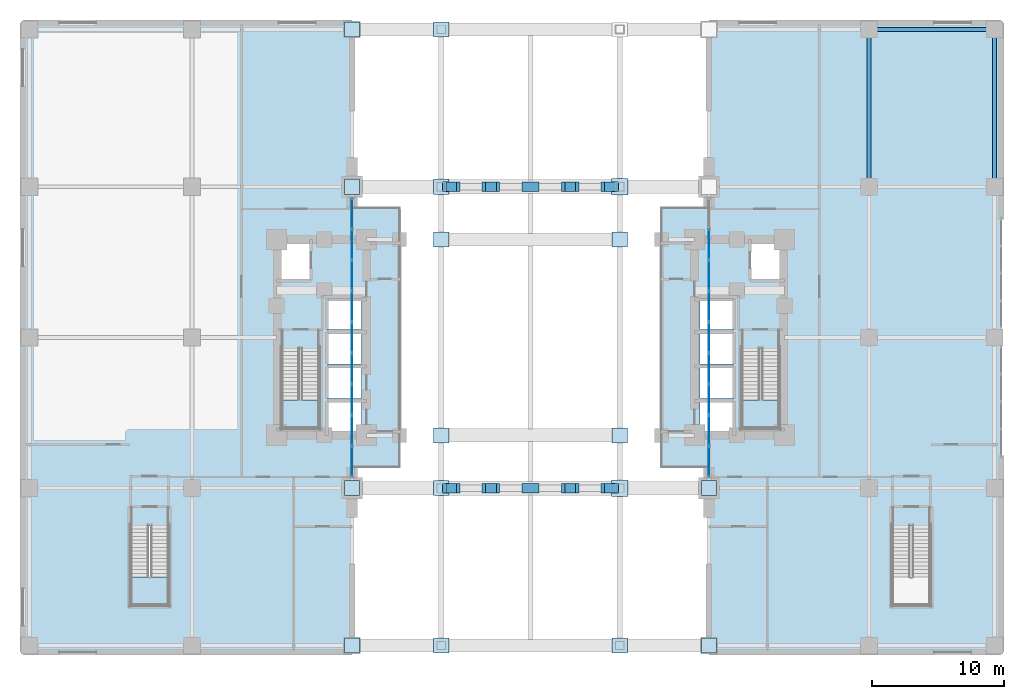
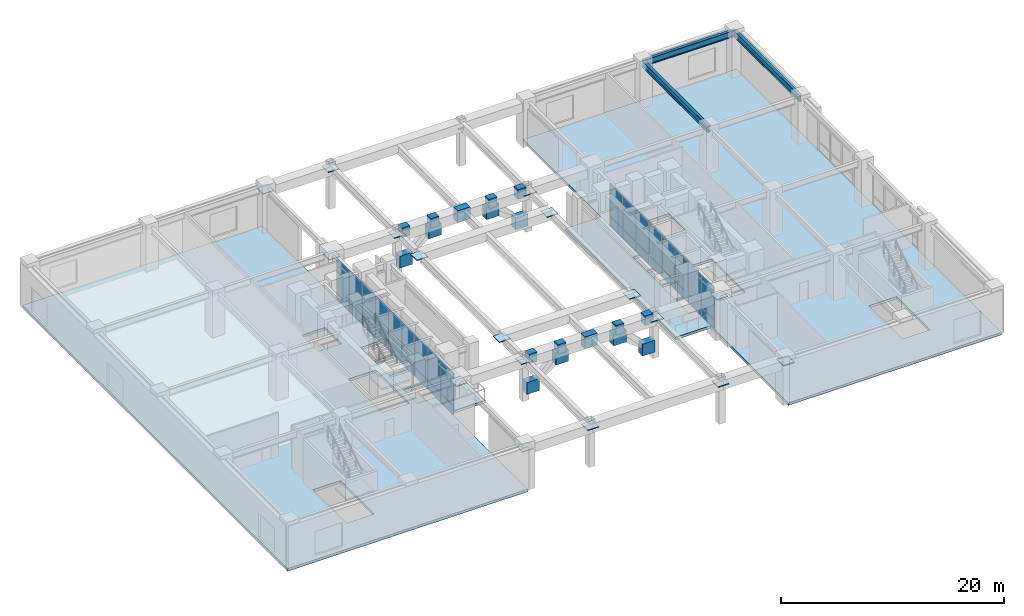
# One storey, part 16 of 26: 69 plates, 5 slabs, 3 beams, 5 elements without a shape of their own.
"""IFC4 building model written with IfcOpenShell, lengths in metres."""

from ifc_helpers import new_model, si_unit, direction, frame, origin, origin_2d, place, context, subcontext, project, spatial, polyline, rectangle, i_section, outline, extrude, material, layer, layer_set, material_profile, profile_set, type_object, element, aggregate, save


model = new_model("IFC4")

# Units and contexts
model_context = context("Model", 3, precision=1e-05, world=origin(), true_north=direction((0.0, 1.0)))
body_context = subcontext(model_context, "Body", "Model", "MODEL_VIEW")
ifc_project = project(units=[si_unit("LENGTHUNIT", "METRE"), si_unit("AREAUNIT", "SQUARE_METRE"), si_unit("VOLUMEUNIT", "CUBIC_METRE"), si_unit("PLANEANGLEUNIT", "RADIAN"), si_unit("MASSUNIT", "GRAM", prefix="KILO")], contexts=[model_context])

# Site, building, storey
site_placement = place(None, origin())
site = spatial("IfcSite", under=ifc_project, at=site_placement, CompositionType="ELEMENT")
building_placement = place(site_placement, origin())
building = spatial("IfcBuilding", under=site, at=building_placement, Name="Voryun Gate Residences", CompositionType="ELEMENT")
storey_placement = place(building_placement, frame((0.0, 0.0, 15.60009765625)))
storey = spatial("IfcBuildingStorey", under=building, at=storey_placement, Name="L03", CompositionType="ELEMENT", Elevation=15.60009765625)

# Beams
ifc_material_1 = material(Name="Steel SM355", Category="steel")
ifc_material_profile = material_profile(ifc_material_1, i_section(OverallWidth=0.300048828125, OverallDepth=0.699951171875, WebThickness=0.012939453125, FlangeThickness=0.02392578125, FilletRadius=0.01806640625, at=origin_2d()), Name="H-700x300x13x24")
ifc_profile_set = profile_set([ifc_material_profile], Name="Steel SM355")
beam_type = type_object("IfcBeamType", Name="BM_GIRD_700", PredefinedType="USERDEFINED", material=ifc_profile_set)
beam_placement = place(storey_placement, frame((25.60009765625, 23.300048828125, 4.449951171875), z_axis=(1.0, 0.0, 0.0), x_axis=(0.0, 1.0, 0.0)))
element("IfcBeam", 1, at=beam_placement, inside=storey, type_object=beam_type, Name="BM-L03-PEX-+23.3-1", ObjectType="GIRDER", PredefinedType="USERDEFINED", context=body_context, shape_type="SweptSolid", body=[
    extrude(i_section(OverallWidth=0.300048828125, OverallDepth=0.699951171875, WebThickness=0.012939453125, FlangeThickness=0.02392578125, FilletRadius=0.01806640625, at=origin_2d()), origin(), (0.0, 0.0, 1.0), 9.5),
])
for number, where, z_axis, x_axis, name in (
    (2, (25.60009765625, 11.39990234375, 4.449951171875), (0.0, 1.0, 0.0), (-1.0, 0.0, 0.0), "BM-L03-PEY-+25.6-3"),
    (3, (35.10009765625, 11.39990234375, 4.449951171875), (0.0, 1.0, 0.0), (-1.0, 0.0, 0.0), "BM-L03-PEY-+35.1-3"),
):
    element("IfcBeam", number, at=place(storey_placement, frame(where, z_axis=z_axis, x_axis=x_axis)), inside=storey, type_object=beam_type, Name=name, ObjectType="GIRDER", PredefinedType="USERDEFINED", context=body_context, shape_type="SweptSolid", body=[
        extrude(i_section(OverallWidth=0.300048828125, OverallDepth=0.699951171875, WebThickness=0.012939453125, FlangeThickness=0.02392578125, FilletRadius=0.01806640625, at=origin_2d()), origin(), (0.0, 0.0, 1.0), 11.900146484375),
    ])

# Plates
ifc_material_2 = material(Name="Steel SM420", Category="steel")
ifc_layer_1 = layer(ifc_material_2, 0.0400390625, Name="PLT_ARCH_GUSSET_40")
ifc_layer_set_1 = layer_set([ifc_layer_1], Name="Steel SM420")
plate_type_1 = type_object("IfcPlateType", Name="PLT_ARCH_GUSSET_40", PredefinedType="USERDEFINED", material=ifc_layer_set_1)
for number, where, z_axis, x_axis, name in (
    (4, (-6.0, -11.39990234375, 0.666015625), (0.0, 0.0, 1.0), (1.0, 0.0, 0.0), "Arch Gusset Plate AN3-S"),
    (5, (-3.0, -11.39990234375, 2.8291015625), (0.0, 0.0, 1.0), (1.0, 0.0, 0.0), "Arch Gusset Plate AN4-S"),
    (6, (0.0, -11.39990234375, 3.5498046875), (0.0, 0.0, 1.0), (1.0, 0.0, 0.0), "Arch Gusset Plate AN5-S"),
    (7, (3.0, -11.39990234375, 2.8291015625), (0.0, 0.0, 1.0), (1.0, 0.0, 0.0), "Arch Gusset Plate AN6-S"),
    (8, (6.0, -11.39990234375, 0.666015625), (0.0, 0.0, 1.0), (1.0, 0.0, 0.0), "Arch Gusset Plate AN7-S"),
    (9, (-6.0, 11.39990234375, 0.666015625), (0.0, 0.0, 1.0), (1.0, 0.0, 0.0), "Arch Gusset Plate AN3-N"),
    (10, (-3.0, 11.39990234375, 2.8291015625), (0.0, 0.0, 1.0), (1.0, 0.0, 0.0), "Arch Gusset Plate AN4-N"),
    (11, (0.0, 11.39990234375, 3.5498046875), (0.0, 0.0, 1.0), (1.0, 0.0, 0.0), "Arch Gusset Plate AN5-N"),
    (12, (3.0, 11.39990234375, 2.8291015625), (0.0, 0.0, 1.0), (1.0, 0.0, 0.0), "Arch Gusset Plate AN6-N"),
    (13, (6.0, 11.39990234375, 0.666015625), (0.0, 0.0, 1.0), (1.0, 0.0, 0.0), "Arch Gusset Plate AN7-N"),
):
    element("IfcPlate", number, at=place(storey_placement, frame(where, z_axis=z_axis, x_axis=x_axis)), inside=storey, type_object=plate_type_1, Name=name, ObjectType="GUSSET_PLATE", PredefinedType="USERDEFINED", context=body_context, shape_type="SweptSolid", body=[
        extrude(rectangle(XDim=1.300048828125, YDim=0.719970703125, at=origin_2d()), origin(), (0.0, 0.0, 1.0), 1.300048828125),
    ])
for number, where, z_axis, x_axis, name in (
    (14, (-6.0, -11.39990234375, 3.9248046875), (0.0, 0.0, 1.0), (1.0, 0.0, 0.0), "L03 Brace Node Connection Plate BN-021"),
    (15, (-3.0, -11.39990234375, 3.9248046875), (0.0, 0.0, 1.0), (1.0, 0.0, 0.0), "L03 Brace Node Connection Plate BN-022"),
    (16, (3.0, -11.39990234375, 3.9248046875), (0.0, 0.0, 1.0), (1.0, 0.0, 0.0), "L03 Brace Node Connection Plate BN-023"),
    (17, (6.0, -11.39990234375, 3.9248046875), (0.0, 0.0, 1.0), (1.0, 0.0, 0.0), "L03 Brace Node Connection Plate BN-024"),
    (18, (-6.0, 11.39990234375, 3.9248046875), (0.0, 0.0, 1.0), (1.0, 0.0, 0.0), "L03 Brace Node Connection Plate BN-029"),
    (19, (-3.0, 11.39990234375, 3.9248046875), (0.0, 0.0, 1.0), (1.0, 0.0, 0.0), "L03 Brace Node Connection Plate BN-030"),
    (20, (3.0, 11.39990234375, 3.9248046875), (0.0, 0.0, 1.0), (1.0, 0.0, 0.0), "L03 Brace Node Connection Plate BN-031"),
    (21, (6.0, 11.39990234375, 3.9248046875), (0.0, 0.0, 1.0), (1.0, 0.0, 0.0), "L03 Brace Node Connection Plate BN-032"),
):
    element("IfcPlate", number, at=place(storey_placement, frame(where, z_axis=z_axis, x_axis=x_axis)), inside=storey, type_object=plate_type_1, Name=name, ObjectType="GUSSET_PLATE", PredefinedType="USERDEFINED", context=body_context, shape_type="SweptSolid", body=[
        extrude(rectangle(XDim=0.820068359375, YDim=0.719970703125, at=origin_2d()), origin(), (0.0, 0.0, 1.0), 1.050048828125),
    ])
ifc_material_3 = material(Name="Steel SM355", Category="steel")
ifc_layer_2 = layer(ifc_material_3, 0.02490234375, Name="PLT_END_CAP_25")
ifc_layer_set_2 = layer_set([ifc_layer_2], Name="Steel SM355")
plate_type_2 = type_object("IfcPlateType", Name="PLT_END_CAP_25", PredefinedType="USERDEFINED", material=ifc_layer_set_2)
for number, where, z_axis, x_axis, name in (
    (22, (-13.5, -11.39990234375, 4.259765625), (0.0, 0.0, 1.0), (1.0, 0.0, 0.0), "L03 Hollow Member End-Cap Plate EC-017"),
    (23, (-6.75, -11.39990234375, 4.259765625), (0.0, 0.0, 1.0), (1.0, 0.0, 0.0), "L03 Hollow Member End-Cap Plate EC-018"),
):
    element("IfcPlate", number, at=place(storey_placement, frame(where, z_axis=z_axis, x_axis=x_axis)), inside=storey, type_object=plate_type_2, Name=name, ObjectType="BASE_PLATE", PredefinedType="USERDEFINED", context=body_context, shape_type="SweptSolid", body=[
        extrude(rectangle(XDim=1.139892578125, YDim=1.139892578125, at=origin_2d()), origin(), (0.0, 0.0, 1.0), 0.080078125),
    ])
plate_1_placement = place(storey_placement, frame((6.75, -11.39990234375, 4.2099609375), z_axis=(0.0, 0.0, 1.0), x_axis=(1.0, 0.0, 0.0)))
element("IfcPlate", 24, at=plate_1_placement, inside=storey, type_object=plate_type_2, Name="L03 Hollow Member End-Cap Plate EC-019", ObjectType="BASE_PLATE", PredefinedType="USERDEFINED", context=body_context, shape_type="SweptSolid", body=[
    extrude(rectangle(XDim=1.239990234375, YDim=1.239990234375, at=origin_2d()), origin(), (0.0, 0.0, 1.0), 0.080078125),
])
for number, where, z_axis, x_axis, name in (
    (25, (13.5, -11.39990234375, 4.259765625), (0.0, 0.0, 1.0), (1.0, 0.0, 0.0), "L03 Hollow Member End-Cap Plate EC-020"),
    (26, (-13.5, 11.39990234375, 4.259765625), (0.0, 0.0, 1.0), (1.0, 0.0, 0.0), "L03 Hollow Member End-Cap Plate EC-025"),
    (27, (-6.75, 11.39990234375, 4.259765625), (0.0, 0.0, 1.0), (1.0, 0.0, 0.0), "L03 Hollow Member End-Cap Plate EC-026"),
):
    element("IfcPlate", number, at=place(storey_placement, frame(where, z_axis=z_axis, x_axis=x_axis)), inside=storey, type_object=plate_type_2, Name=name, ObjectType="BASE_PLATE", PredefinedType="USERDEFINED", context=body_context, shape_type="SweptSolid", body=[
        extrude(rectangle(XDim=1.139892578125, YDim=1.139892578125, at=origin_2d()), origin(), (0.0, 0.0, 1.0), 0.080078125),
    ])
plate_2_placement = place(storey_placement, frame((6.75, 11.39990234375, 4.2099609375), z_axis=(0.0, 0.0, 1.0), x_axis=(1.0, 0.0, 0.0)))
element("IfcPlate", 28, at=plate_2_placement, inside=storey, type_object=plate_type_2, Name="L03 Hollow Member End-Cap Plate EC-027", ObjectType="BASE_PLATE", PredefinedType="USERDEFINED", context=body_context, shape_type="SweptSolid", body=[
    extrude(rectangle(XDim=1.239990234375, YDim=1.239990234375, at=origin_2d()), origin(), (0.0, 0.0, 1.0), 0.080078125),
])
for number, where, z_axis, x_axis, name in (
    (29, (-13.5, -23.300048828125, 4.259765625), (0.0, 0.0, 1.0), (1.0, 0.0, 0.0), "L03 Hollow Member End-Cap Plate EC-033"),
    (30, (-6.75, -23.300048828125, 4.259765625), (0.0, 0.0, 1.0), (1.0, 0.0, 0.0), "L03 Hollow Member End-Cap Plate EC-034"),
    (31, (6.75, -23.300048828125, 4.259765625), (0.0, 0.0, 1.0), (1.0, 0.0, 0.0), "L03 Hollow Member End-Cap Plate EC-035"),
    (32, (13.5, -23.300048828125, 4.259765625), (0.0, 0.0, 1.0), (1.0, 0.0, 0.0), "L03 Hollow Member End-Cap Plate EC-036"),
    (33, (-6.75, -7.39990234375, 4.259765625), (0.0, 0.0, 1.0), (1.0, 0.0, 0.0), "L03 Hollow Member End-Cap Plate EC-037"),
    (34, (6.75, -7.39990234375, 4.259765625), (0.0, 0.0, 1.0), (1.0, 0.0, 0.0), "L03 Hollow Member End-Cap Plate EC-038"),
    (35, (-6.75, 7.39990234375, 4.259765625), (0.0, 0.0, 1.0), (1.0, 0.0, 0.0), "L03 Hollow Member End-Cap Plate EC-039"),
    (36, (6.75, 7.39990234375, 4.259765625), (0.0, 0.0, 1.0), (1.0, 0.0, 0.0), "L03 Hollow Member End-Cap Plate EC-040"),
    (37, (-13.5, 23.300048828125, 4.259765625), (0.0, 0.0, 1.0), (1.0, 0.0, 0.0), "L03 Hollow Member End-Cap Plate EC-041"),
    (38, (-6.75, 23.300048828125, 4.259765625), (0.0, 0.0, 1.0), (1.0, 0.0, 0.0), "L03 Hollow Member End-Cap Plate EC-042"),
):
    element("IfcPlate", number, at=place(storey_placement, frame(where, z_axis=z_axis, x_axis=x_axis)), inside=storey, type_object=plate_type_2, Name=name, ObjectType="BASE_PLATE", PredefinedType="USERDEFINED", context=body_context, shape_type="SweptSolid", body=[
        extrude(rectangle(XDim=1.139892578125, YDim=1.139892578125, at=origin_2d()), origin(), (0.0, 0.0, 1.0), 0.080078125),
    ])

# Curtain wall, plates
ifc_material_4 = material(Name="Anodised aluminium", Category="aluminium")
ifc_layer_3 = layer(ifc_material_4, 0.239990234375, Name="CW_SYS_ARCH_DARK_GLASS")
ifc_layer_set_3 = layer_set([ifc_layer_3], Name="Anodised aluminium")
curtain_wall_type = type_object("IfcCurtainWallType", Name="CW_SYS_ARCH_DARK_GLASS", PredefinedType="NOTDEFINED", material=ifc_layer_set_3)
curtain_wall_1_placement = place(storey_placement, origin())
curtain_wall_1 = element("IfcCurtainWall", 39, at=curtain_wall_1_placement, inside=storey, type_object=curtain_wall_type, Name="Curtain wall CW2-L03-WP-M", PredefinedType="NOTDEFINED")
ifc_material_5 = material(Name="Laminated low-E glass", Category="glass")
ifc_layer_4 = layer(ifc_material_5, 0.048095703125, Name="PLT_GLASS_DARK_POD")
ifc_layer_set_4 = layer_set([ifc_layer_4], Name="Laminated low-E glass")
plate_type_3 = type_object("IfcPlateType", Name="PLT_GLASS_DARK_POD", PredefinedType="CURTAIN_PANEL", material=ifc_layer_set_4)
plate_3_placement = place(storey_placement, frame((-13.5, -9.3671875, 0.059814453125), z_axis=(0.0, 0.0, 1.0), x_axis=(0.0, 1.0, 0.0)))
plate_3 = element("IfcPlate", 40, at=plate_3_placement, type_object=plate_type_3, Name="CW2 panel 1.1", PredefinedType="CURTAIN_PANEL", context=body_context, shape_type="SweptSolid", body=[
    extrude(rectangle(XDim=2.255615234375, YDim=0.028076171875, at=origin_2d()), origin(), (0.0, 0.0, 1.0), 0.9599609375),
])
plate_4_placement = place(storey_placement, frame((-13.5, -9.3671875, 1.079833984375), z_axis=(0.0, 0.0, 1.0), x_axis=(0.0, 1.0, 0.0)))
plate_4 = element("IfcPlate", 41, at=plate_4_placement, type_object=plate_type_3, Name="CW2 panel 1.2", PredefinedType="CURTAIN_PANEL", context=body_context, shape_type="SweptSolid", body=[
    extrude(rectangle(XDim=2.255615234375, YDim=0.028076171875, at=origin_2d()), origin(), (0.0, 0.0, 1.0), 3.56005859375),
])
plate_5_placement = place(storey_placement, frame((-13.5, -7.03662109375, 0.059814453125), z_axis=(0.0, 0.0, 1.0), x_axis=(0.0, 1.0, 0.0)))
plate_5 = element("IfcPlate", 42, at=plate_5_placement, type_object=plate_type_3, Name="CW2 panel 2.1", PredefinedType="CURTAIN_PANEL", context=body_context, shape_type="SweptSolid", body=[
    extrude(rectangle(XDim=2.28564453125, YDim=0.028076171875, at=origin_2d()), origin(), (0.0, 0.0, 1.0), 0.9599609375),
])
plate_6_placement = place(storey_placement, frame((-13.5, -7.03662109375, 1.079833984375), z_axis=(0.0, 0.0, 1.0), x_axis=(0.0, 1.0, 0.0)))
plate_6 = element("IfcPlate", 43, at=plate_6_placement, type_object=plate_type_3, Name="CW2 panel 2.2", PredefinedType="CURTAIN_PANEL", context=body_context, shape_type="SweptSolid", body=[
    extrude(rectangle(XDim=2.28564453125, YDim=0.028076171875, at=origin_2d()), origin(), (0.0, 0.0, 1.0), 3.56005859375),
])
plate_7_placement = place(storey_placement, frame((-13.5, -4.691162109375, 0.059814453125), z_axis=(0.0, 0.0, 1.0), x_axis=(0.0, 1.0, 0.0)))
plate_7 = element("IfcPlate", 44, at=plate_7_placement, type_object=plate_type_3, Name="CW2 panel 3.1", PredefinedType="CURTAIN_PANEL", context=body_context, shape_type="SweptSolid", body=[
    extrude(rectangle(XDim=2.28564453125, YDim=0.028076171875, at=origin_2d()), origin(), (0.0, 0.0, 1.0), 0.9599609375),
])
plate_8_placement = place(storey_placement, frame((-13.5, -4.691162109375, 1.079833984375), z_axis=(0.0, 0.0, 1.0), x_axis=(0.0, 1.0, 0.0)))
plate_8 = element("IfcPlate", 45, at=plate_8_placement, type_object=plate_type_3, Name="CW2 panel 3.2", PredefinedType="CURTAIN_PANEL", context=body_context, shape_type="SweptSolid", body=[
    extrude(rectangle(XDim=2.28564453125, YDim=0.028076171875, at=origin_2d()), origin(), (0.0, 0.0, 1.0), 3.56005859375),
])
plate_9_placement = place(storey_placement, frame((-13.5, -2.345458984375, 0.059814453125), z_axis=(0.0, 0.0, 1.0), x_axis=(0.0, 1.0, 0.0)))
plate_9 = element("IfcPlate", 46, at=plate_9_placement, type_object=plate_type_3, Name="CW2 panel 4.1", PredefinedType="CURTAIN_PANEL", context=body_context, shape_type="SweptSolid", body=[
    extrude(rectangle(XDim=2.28564453125, YDim=0.028076171875, at=origin_2d()), origin(), (0.0, 0.0, 1.0), 0.9599609375),
])
plate_10_placement = place(storey_placement, frame((-13.5, -2.345458984375, 1.079833984375), z_axis=(0.0, 0.0, 1.0), x_axis=(0.0, 1.0, 0.0)))
plate_10 = element("IfcPlate", 47, at=plate_10_placement, type_object=plate_type_3, Name="CW2 panel 4.2", PredefinedType="CURTAIN_PANEL", context=body_context, shape_type="SweptSolid", body=[
    extrude(rectangle(XDim=2.28564453125, YDim=0.028076171875, at=origin_2d()), origin(), (0.0, 0.0, 1.0), 3.56005859375),
])
plate_11_placement = place(storey_placement, frame((-13.5, 0.0, 0.059814453125), z_axis=(0.0, 0.0, 1.0), x_axis=(0.0, 1.0, 0.0)))
plate_11 = element("IfcPlate", 48, at=plate_11_placement, type_object=plate_type_3, Name="CW2 panel 5.1", PredefinedType="CURTAIN_PANEL", context=body_context, shape_type="SweptSolid", body=[
    extrude(rectangle(XDim=2.28564453125, YDim=0.028076171875, at=origin_2d()), origin(), (0.0, 0.0, 1.0), 0.9599609375),
])
plate_12_placement = place(storey_placement, frame((-13.5, 0.0, 1.079833984375), z_axis=(0.0, 0.0, 1.0), x_axis=(0.0, 1.0, 0.0)))
plate_12 = element("IfcPlate", 49, at=plate_12_placement, type_object=plate_type_3, Name="CW2 panel 5.2", PredefinedType="CURTAIN_PANEL", context=body_context, shape_type="SweptSolid", body=[
    extrude(rectangle(XDim=2.28564453125, YDim=0.028076171875, at=origin_2d()), origin(), (0.0, 0.0, 1.0), 3.56005859375),
])
plate_13_placement = place(storey_placement, frame((-13.5, 2.345458984375, 0.059814453125), z_axis=(0.0, 0.0, 1.0), x_axis=(0.0, 1.0, 0.0)))
plate_13 = element("IfcPlate", 50, at=plate_13_placement, type_object=plate_type_3, Name="CW2 panel 6.1", PredefinedType="CURTAIN_PANEL", context=body_context, shape_type="SweptSolid", body=[
    extrude(rectangle(XDim=2.28564453125, YDim=0.028076171875, at=origin_2d()), origin(), (0.0, 0.0, 1.0), 0.9599609375),
])
plate_14_placement = place(storey_placement, frame((-13.5, 2.345458984375, 1.079833984375), z_axis=(0.0, 0.0, 1.0), x_axis=(0.0, 1.0, 0.0)))
plate_14 = element("IfcPlate", 51, at=plate_14_placement, type_object=plate_type_3, Name="CW2 panel 6.2", PredefinedType="CURTAIN_PANEL", context=body_context, shape_type="SweptSolid", body=[
    extrude(rectangle(XDim=2.28564453125, YDim=0.028076171875, at=origin_2d()), origin(), (0.0, 0.0, 1.0), 3.56005859375),
])
plate_15_placement = place(storey_placement, frame((-13.5, 4.691162109375, 0.059814453125), z_axis=(0.0, 0.0, 1.0), x_axis=(0.0, 1.0, 0.0)))
plate_15 = element("IfcPlate", 52, at=plate_15_placement, type_object=plate_type_3, Name="CW2 panel 7.1", PredefinedType="CURTAIN_PANEL", context=body_context, shape_type="SweptSolid", body=[
    extrude(rectangle(XDim=2.28564453125, YDim=0.028076171875, at=origin_2d()), origin(), (0.0, 0.0, 1.0), 0.9599609375),
])
plate_16_placement = place(storey_placement, frame((-13.5, 4.691162109375, 1.079833984375), z_axis=(0.0, 0.0, 1.0), x_axis=(0.0, 1.0, 0.0)))
plate_16 = element("IfcPlate", 53, at=plate_16_placement, type_object=plate_type_3, Name="CW2 panel 7.2", PredefinedType="CURTAIN_PANEL", context=body_context, shape_type="SweptSolid", body=[
    extrude(rectangle(XDim=2.28564453125, YDim=0.028076171875, at=origin_2d()), origin(), (0.0, 0.0, 1.0), 3.56005859375),
])
plate_17_placement = place(storey_placement, frame((-13.5, 7.03662109375, 0.059814453125), z_axis=(0.0, 0.0, 1.0), x_axis=(0.0, 1.0, 0.0)))
plate_17 = element("IfcPlate", 54, at=plate_17_placement, type_object=plate_type_3, Name="CW2 panel 8.1", PredefinedType="CURTAIN_PANEL", context=body_context, shape_type="SweptSolid", body=[
    extrude(rectangle(XDim=2.28564453125, YDim=0.028076171875, at=origin_2d()), origin(), (0.0, 0.0, 1.0), 0.9599609375),
])
plate_18_placement = place(storey_placement, frame((-13.5, 7.03662109375, 1.079833984375), z_axis=(0.0, 0.0, 1.0), x_axis=(0.0, 1.0, 0.0)))
plate_18 = element("IfcPlate", 55, at=plate_18_placement, type_object=plate_type_3, Name="CW2 panel 8.2", PredefinedType="CURTAIN_PANEL", context=body_context, shape_type="SweptSolid", body=[
    extrude(rectangle(XDim=2.28564453125, YDim=0.028076171875, at=origin_2d()), origin(), (0.0, 0.0, 1.0), 3.56005859375),
])
plate_19_placement = place(storey_placement, frame((-13.5, 9.3671875, 0.059814453125), z_axis=(0.0, 0.0, 1.0), x_axis=(0.0, 1.0, 0.0)))
plate_19 = element("IfcPlate", 56, at=plate_19_placement, type_object=plate_type_3, Name="CW2 panel 9.1", PredefinedType="CURTAIN_PANEL", context=body_context, shape_type="SweptSolid", body=[
    extrude(rectangle(XDim=2.255615234375, YDim=0.028076171875, at=origin_2d()), origin(), (0.0, 0.0, 1.0), 0.9599609375),
])
plate_20_placement = place(storey_placement, frame((-13.5, 9.3671875, 1.079833984375), z_axis=(0.0, 0.0, 1.0), x_axis=(0.0, 1.0, 0.0)))
plate_20 = element("IfcPlate", 57, at=plate_20_placement, type_object=plate_type_3, Name="CW2 panel 9.2", PredefinedType="CURTAIN_PANEL", context=body_context, shape_type="SweptSolid", body=[
    extrude(rectangle(XDim=2.255615234375, YDim=0.028076171875, at=origin_2d()), origin(), (0.0, 0.0, 1.0), 3.56005859375),
])
aggregate(curtain_wall_1, [plate_3, plate_4, plate_5, plate_6, plate_7, plate_8, plate_9, plate_10, plate_11, plate_12, plate_13, plate_14, plate_15, plate_16, plate_17, plate_18, plate_19, plate_20])

curtain_wall_2_placement = place(storey_placement, origin())
curtain_wall_2 = element("IfcCurtainWall", 58, at=curtain_wall_2_placement, inside=storey, type_object=curtain_wall_type, Name="Curtain wall CW2-L03-EP-M", PredefinedType="NOTDEFINED")
plate_21_placement = place(storey_placement, frame((13.5, -9.3671875, 0.059814453125), z_axis=(0.0, 0.0, 1.0), x_axis=(0.0, 1.0, 0.0)))
plate_21 = element("IfcPlate", 59, at=plate_21_placement, type_object=plate_type_3, Name="CW2 panel 1.1", PredefinedType="CURTAIN_PANEL", context=body_context, shape_type="SweptSolid", body=[
    extrude(rectangle(XDim=2.255615234375, YDim=0.028076171875, at=origin_2d()), origin(), (0.0, 0.0, 1.0), 0.9599609375),
])
plate_22_placement = place(storey_placement, frame((13.5, -9.3671875, 1.079833984375), z_axis=(0.0, 0.0, 1.0), x_axis=(0.0, 1.0, 0.0)))
plate_22 = element("IfcPlate", 60, at=plate_22_placement, type_object=plate_type_3, Name="CW2 panel 1.2", PredefinedType="CURTAIN_PANEL", context=body_context, shape_type="SweptSolid", body=[
    extrude(rectangle(XDim=2.255615234375, YDim=0.028076171875, at=origin_2d()), origin(), (0.0, 0.0, 1.0), 3.56005859375),
])
plate_23_placement = place(storey_placement, frame((13.5, -7.03662109375, 0.059814453125), z_axis=(0.0, 0.0, 1.0), x_axis=(0.0, 1.0, 0.0)))
plate_23 = element("IfcPlate", 61, at=plate_23_placement, type_object=plate_type_3, Name="CW2 panel 2.1", PredefinedType="CURTAIN_PANEL", context=body_context, shape_type="SweptSolid", body=[
    extrude(rectangle(XDim=2.28564453125, YDim=0.028076171875, at=origin_2d()), origin(), (0.0, 0.0, 1.0), 0.9599609375),
])
plate_24_placement = place(storey_placement, frame((13.5, -7.03662109375, 1.079833984375), z_axis=(0.0, 0.0, 1.0), x_axis=(0.0, 1.0, 0.0)))
plate_24 = element("IfcPlate", 62, at=plate_24_placement, type_object=plate_type_3, Name="CW2 panel 2.2", PredefinedType="CURTAIN_PANEL", context=body_context, shape_type="SweptSolid", body=[
    extrude(rectangle(XDim=2.28564453125, YDim=0.028076171875, at=origin_2d()), origin(), (0.0, 0.0, 1.0), 3.56005859375),
])
plate_25_placement = place(storey_placement, frame((13.5, -4.691162109375, 0.059814453125), z_axis=(0.0, 0.0, 1.0), x_axis=(0.0, 1.0, 0.0)))
plate_25 = element("IfcPlate", 63, at=plate_25_placement, type_object=plate_type_3, Name="CW2 panel 3.1", PredefinedType="CURTAIN_PANEL", context=body_context, shape_type="SweptSolid", body=[
    extrude(rectangle(XDim=2.28564453125, YDim=0.028076171875, at=origin_2d()), origin(), (0.0, 0.0, 1.0), 0.9599609375),
])
plate_26_placement = place(storey_placement, frame((13.5, -4.691162109375, 1.079833984375), z_axis=(0.0, 0.0, 1.0), x_axis=(0.0, 1.0, 0.0)))
plate_26 = element("IfcPlate", 64, at=plate_26_placement, type_object=plate_type_3, Name="CW2 panel 3.2", PredefinedType="CURTAIN_PANEL", context=body_context, shape_type="SweptSolid", body=[
    extrude(rectangle(XDim=2.28564453125, YDim=0.028076171875, at=origin_2d()), origin(), (0.0, 0.0, 1.0), 3.56005859375),
])
plate_27_placement = place(storey_placement, frame((13.5, -2.345458984375, 0.059814453125), z_axis=(0.0, 0.0, 1.0), x_axis=(0.0, 1.0, 0.0)))
plate_27 = element("IfcPlate", 65, at=plate_27_placement, type_object=plate_type_3, Name="CW2 panel 4.1", PredefinedType="CURTAIN_PANEL", context=body_context, shape_type="SweptSolid", body=[
    extrude(rectangle(XDim=2.28564453125, YDim=0.028076171875, at=origin_2d()), origin(), (0.0, 0.0, 1.0), 0.9599609375),
])
plate_28_placement = place(storey_placement, frame((13.5, -2.345458984375, 1.079833984375), z_axis=(0.0, 0.0, 1.0), x_axis=(0.0, 1.0, 0.0)))
plate_28 = element("IfcPlate", 66, at=plate_28_placement, type_object=plate_type_3, Name="CW2 panel 4.2", PredefinedType="CURTAIN_PANEL", context=body_context, shape_type="SweptSolid", body=[
    extrude(rectangle(XDim=2.28564453125, YDim=0.028076171875, at=origin_2d()), origin(), (0.0, 0.0, 1.0), 3.56005859375),
])
plate_29_placement = place(storey_placement, frame((13.5, 0.0, 0.059814453125), z_axis=(0.0, 0.0, 1.0), x_axis=(0.0, 1.0, 0.0)))
plate_29 = element("IfcPlate", 67, at=plate_29_placement, type_object=plate_type_3, Name="CW2 panel 5.1", PredefinedType="CURTAIN_PANEL", context=body_context, shape_type="SweptSolid", body=[
    extrude(rectangle(XDim=2.28564453125, YDim=0.028076171875, at=origin_2d()), origin(), (0.0, 0.0, 1.0), 0.9599609375),
])
plate_30_placement = place(storey_placement, frame((13.5, 0.0, 1.079833984375), z_axis=(0.0, 0.0, 1.0), x_axis=(0.0, 1.0, 0.0)))
plate_30 = element("IfcPlate", 68, at=plate_30_placement, type_object=plate_type_3, Name="CW2 panel 5.2", PredefinedType="CURTAIN_PANEL", context=body_context, shape_type="SweptSolid", body=[
    extrude(rectangle(XDim=2.28564453125, YDim=0.028076171875, at=origin_2d()), origin(), (0.0, 0.0, 1.0), 3.56005859375),
])
plate_31_placement = place(storey_placement, frame((13.5, 2.345458984375, 0.059814453125), z_axis=(0.0, 0.0, 1.0), x_axis=(0.0, 1.0, 0.0)))
plate_31 = element("IfcPlate", 69, at=plate_31_placement, type_object=plate_type_3, Name="CW2 panel 6.1", PredefinedType="CURTAIN_PANEL", context=body_context, shape_type="SweptSolid", body=[
    extrude(rectangle(XDim=2.28564453125, YDim=0.028076171875, at=origin_2d()), origin(), (0.0, 0.0, 1.0), 0.9599609375),
])
plate_32_placement = place(storey_placement, frame((13.5, 2.345458984375, 1.079833984375), z_axis=(0.0, 0.0, 1.0), x_axis=(0.0, 1.0, 0.0)))
plate_32 = element("IfcPlate", 70, at=plate_32_placement, type_object=plate_type_3, Name="CW2 panel 6.2", PredefinedType="CURTAIN_PANEL", context=body_context, shape_type="SweptSolid", body=[
    extrude(rectangle(XDim=2.28564453125, YDim=0.028076171875, at=origin_2d()), origin(), (0.0, 0.0, 1.0), 3.56005859375),
])
plate_33_placement = place(storey_placement, frame((13.5, 4.691162109375, 0.059814453125), z_axis=(0.0, 0.0, 1.0), x_axis=(0.0, 1.0, 0.0)))
plate_33 = element("IfcPlate", 71, at=plate_33_placement, type_object=plate_type_3, Name="CW2 panel 7.1", PredefinedType="CURTAIN_PANEL", context=body_context, shape_type="SweptSolid", body=[
    extrude(rectangle(XDim=2.28564453125, YDim=0.028076171875, at=origin_2d()), origin(), (0.0, 0.0, 1.0), 0.9599609375),
])
plate_34_placement = place(storey_placement, frame((13.5, 4.691162109375, 1.079833984375), z_axis=(0.0, 0.0, 1.0), x_axis=(0.0, 1.0, 0.0)))
plate_34 = element("IfcPlate", 72, at=plate_34_placement, type_object=plate_type_3, Name="CW2 panel 7.2", PredefinedType="CURTAIN_PANEL", context=body_context, shape_type="SweptSolid", body=[
    extrude(rectangle(XDim=2.28564453125, YDim=0.028076171875, at=origin_2d()), origin(), (0.0, 0.0, 1.0), 3.56005859375),
])
plate_35_placement = place(storey_placement, frame((13.5, 7.03662109375, 0.059814453125), z_axis=(0.0, 0.0, 1.0), x_axis=(0.0, 1.0, 0.0)))
plate_35 = element("IfcPlate", 73, at=plate_35_placement, type_object=plate_type_3, Name="CW2 panel 8.1", PredefinedType="CURTAIN_PANEL", context=body_context, shape_type="SweptSolid", body=[
    extrude(rectangle(XDim=2.28564453125, YDim=0.028076171875, at=origin_2d()), origin(), (0.0, 0.0, 1.0), 0.9599609375),
])
plate_36_placement = place(storey_placement, frame((13.5, 7.03662109375, 1.079833984375), z_axis=(0.0, 0.0, 1.0), x_axis=(0.0, 1.0, 0.0)))
plate_36 = element("IfcPlate", 74, at=plate_36_placement, type_object=plate_type_3, Name="CW2 panel 8.2", PredefinedType="CURTAIN_PANEL", context=body_context, shape_type="SweptSolid", body=[
    extrude(rectangle(XDim=2.28564453125, YDim=0.028076171875, at=origin_2d()), origin(), (0.0, 0.0, 1.0), 3.56005859375),
])
aggregate(curtain_wall_2, [plate_21, plate_22, plate_23, plate_24, plate_25, plate_26, plate_27, plate_28, plate_29, plate_30, plate_31, plate_32, plate_33, plate_34, plate_35, plate_36])

# Slabs
ifc_material_6 = material(Name="Concrete C50/60", Category="concrete")
ifc_layer_5 = layer(ifc_material_6, 0.280029296875, Name="SLB_POD_280")
ifc_layer_set_5 = layer_set([ifc_layer_5], Name="Concrete C50/60")
slab_type_1 = type_object("IfcSlabType", Name="SLB_POD_280", PredefinedType="FLOOR", material=ifc_layer_set_5)
slab_1_placement = place(storey_placement, frame((0.0, 0.0, -0.280029296875)))
element("IfcSlab", 75, at=slab_1_placement, inside=storey, type_object=slab_type_1, Name="L03 West Podium Pier Slab", PredefinedType="FLOOR", context=body_context, shape_type="SweptSolid", body=[
    extrude(outline(polyline([(-38.39990234375, -23.800048828125), (-38.39990234375, 23.800048828125), (-13.5, 23.800048828125), (-13.5, 9.85009765625), (-9.85009765625, 9.85009765625), (-9.85009765625, -9.85009765625), (-13.5, -9.85009765625), (-13.5, -23.800048828125), (-38.39990234375, -23.800048828125)]), holes=[polyline([(-27.375, -20.25), (-27.375, -14.239990234375), (-30.22509765625, -14.239990234375), (-30.22509765625, -20.25), (-27.375, -20.25)]), polyline([(-12.800048828125, -7.199951171875), (-12.800048828125, -4.800048828125), (-15.39990234375, -4.800048828125), (-15.39990234375, -7.199951171875), (-12.800048828125, -7.199951171875)]), polyline([(-18.824951171875, -6.85009765625), (-15.97509765625, -6.85009765625), (-15.97509765625, -0.840087890625), (-18.824951171875, -0.840087890625), (-18.824951171875, -6.85009765625)]), polyline([(-12.800048828125, -4.60009765625), (-12.800048828125, -2.199951171875), (-15.39990234375, -2.199951171875), (-15.39990234375, -4.60009765625), (-12.800048828125, -4.60009765625)]), polyline([(-12.800048828125, -2.0), (-12.800048828125, 0.39990234375), (-15.39990234375, 0.39990234375), (-15.39990234375, -2.0), (-12.800048828125, -2.0)]), polyline([(-12.800048828125, 0.60009765625), (-12.800048828125, 2.89990234375), (-15.39990234375, 2.89990234375), (-15.39990234375, 0.60009765625), (-12.800048828125, 0.60009765625)]), polyline([(-16.60009765625, 4.300048828125), (-16.60009765625, 7.199951171875), (-19.0, 7.199951171875), (-19.0, 4.300048828125), (-16.60009765625, 4.300048828125)])]), origin(), (0.0, 0.0, 1.0), 0.280029296875),
])
slab_2_placement = place(storey_placement, frame((0.0, 0.0, -0.280029296875)))
element("IfcSlab", 76, at=slab_2_placement, inside=storey, type_object=slab_type_1, Name="L03 East Podium Pier Slab", PredefinedType="FLOOR", context=body_context, shape_type="SweptSolid", body=[
    extrude(outline(polyline([(9.85009765625, 9.85009765625), (13.5, 9.85009765625), (13.5, 23.800048828125), (35.60009765625, 23.800048828125), (35.60009765625, -23.800048828125), (13.5, -23.800048828125), (13.5, -9.85009765625), (9.85009765625, -9.85009765625), (9.85009765625, 9.85009765625)]), holes=[polyline([(30.22509765625, -20.25), (30.22509765625, -14.239990234375), (27.375, -14.239990234375), (27.375, -20.25), (30.22509765625, -20.25)]), polyline([(15.39990234375, -7.199951171875), (15.39990234375, -4.800048828125), (12.800048828125, -4.800048828125), (12.800048828125, -7.199951171875), (15.39990234375, -7.199951171875)]), polyline([(15.97509765625, -6.85009765625), (18.824951171875, -6.85009765625), (18.824951171875, -0.840087890625), (15.97509765625, -0.840087890625), (15.97509765625, -6.85009765625)]), polyline([(15.39990234375, -4.60009765625), (15.39990234375, -2.199951171875), (12.800048828125, -2.199951171875), (12.800048828125, -4.60009765625), (15.39990234375, -4.60009765625)]), polyline([(15.39990234375, -2.0), (15.39990234375, 0.39990234375), (12.800048828125, 0.39990234375), (12.800048828125, -2.0), (15.39990234375, -2.0)]), polyline([(15.39990234375, 0.60009765625), (15.39990234375, 2.89990234375), (12.800048828125, 2.89990234375), (12.800048828125, 0.60009765625), (15.39990234375, 0.60009765625)]), polyline([(19.0, 4.300048828125), (19.0, 7.199951171875), (16.60009765625, 7.199951171875), (16.60009765625, 4.300048828125), (19.0, 4.300048828125)])]), origin(), (0.0, 0.0, 1.0), 0.280029296875),
])

# Stair, slab
ifc_material_7 = material(Name="Concrete C40/50", Category="concrete")
stair_type_1 = type_object("IfcStairType", Name="STR_CORE_DOGLEG_1350", PredefinedType="HALF_TURN_STAIR", material=ifc_material_7)
stair_1_placement = place(storey_placement, origin())
stair_1 = element("IfcStair", 77, at=stair_1_placement, inside=storey, type_object=stair_type_1, Name="L03 Special Escape Stair ST-W1", PredefinedType="HALF_TURN_STAIR")
ifc_material_8 = material(Name="Concrete C40/50", Category="concrete")
ifc_layer_6 = layer(ifc_material_8, 0.199951171875, Name="SLB_STAIR_LANDING_200")
ifc_layer_set_6 = layer_set([ifc_layer_6], Name="Concrete C40/50")
slab_type_2 = type_object("IfcSlabType", Name="SLB_STAIR_LANDING_200", PredefinedType="LANDING", material=ifc_layer_set_6)
slab_3_placement = place(storey_placement, frame((0.0, 0.0, 2.39990234375)))
slab_3 = element("IfcSlab", 78, at=slab_3_placement, type_object=slab_type_2, Name="ST-W1 landing 1", PredefinedType="LANDING", context=body_context, shape_type="SweptSolid", body=[
    extrude(outline(polyline([(-18.824951171875, -4.719970703125), (-18.824951171875, -6.85009765625), (-15.97509765625, -6.85009765625), (-15.97509765625, -4.719970703125), (-18.824951171875, -4.719970703125)])), origin(), (0.0, 0.0, 1.0), 0.199951171875),
])
aggregate(stair_1, [slab_3])

stair_2_placement = place(storey_placement, origin())
stair_2 = element("IfcStair", 79, at=stair_2_placement, inside=storey, type_object=stair_type_1, Name="L03 Special Escape Stair ST-E1", PredefinedType="HALF_TURN_STAIR")
slab_4_placement = place(storey_placement, frame((0.0, 0.0, 2.39990234375)))
slab_4 = element("IfcSlab", 80, at=slab_4_placement, type_object=slab_type_2, Name="ST-E1 landing 1", PredefinedType="LANDING", context=body_context, shape_type="SweptSolid", body=[
    extrude(outline(polyline([(15.97509765625, -4.719970703125), (15.97509765625, -6.85009765625), (18.824951171875, -6.85009765625), (18.824951171875, -4.719970703125), (15.97509765625, -4.719970703125)])), origin(), (0.0, 0.0, 1.0), 0.199951171875),
])
aggregate(stair_2, [slab_4])

ifc_material_9 = material(Name="Concrete C40/50", Category="concrete")
stair_type_2 = type_object("IfcStairType", Name="STR_CROWN_DOGLEG_1250", PredefinedType="HALF_TURN_STAIR", material=ifc_material_9)
stair_3_placement = place(storey_placement, origin())
stair_3 = element("IfcStair", 81, at=stair_3_placement, inside=storey, type_object=stair_type_2, Name="L03 Special Escape Stair ST-P1", PredefinedType="HALF_TURN_STAIR")
slab_5_placement = place(storey_placement, frame((0.0, 0.0, 2.39990234375)))
slab_5 = element("IfcSlab", 82, at=slab_5_placement, type_object=slab_type_2, Name="ST-P1 landing 1", PredefinedType="LANDING", context=body_context, shape_type="SweptSolid", body=[
    extrude(outline(polyline([(-30.22509765625, -18.1201171875), (-30.22509765625, -20.25), (-27.375, -20.25), (-27.375, -18.1201171875), (-30.22509765625, -18.1201171875)])), origin(), (0.0, 0.0, 1.0), 0.199951171875),
])
aggregate(stair_3, [slab_5])

save(model, "model.ifc")
